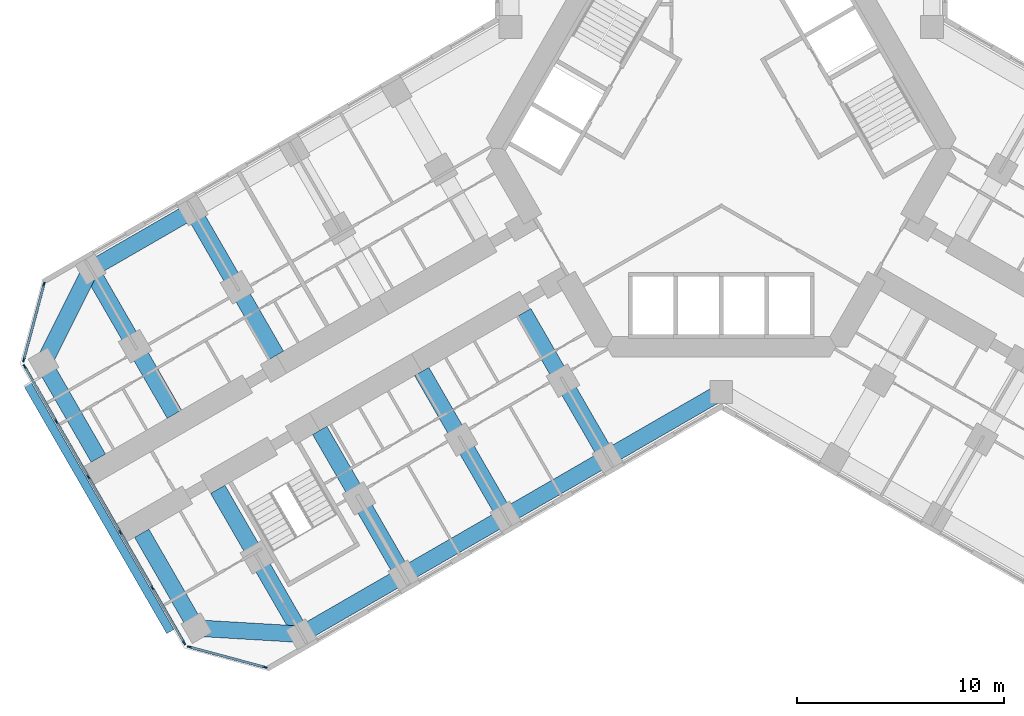
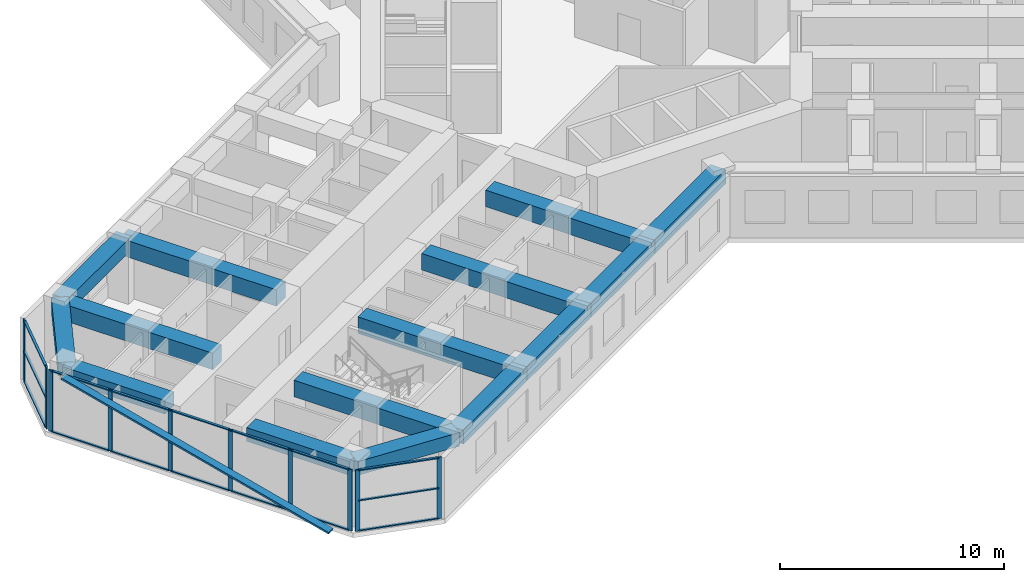
# One storey, part 2 of 18: 27 members, 15 beams, 3 elements without a shape of their own.
"""IFC4 building model written with IfcOpenShell, lengths in metres."""

from ifc_helpers import new_model, si_unit, direction, frame, origin, origin_2d, place, context, subcontext, project, spatial, rectangle, extrude, material, material_profile, profile_set, type_object, element, aggregate, save


model = new_model("IFC4")

# Units and contexts
model_context = context("Model", 3, precision=1e-05, world=origin(), true_north=direction((0.0, 1.0)))
body_context = subcontext(model_context, "Body", "Model", "MODEL_VIEW")
ifc_project = project(units=[si_unit("LENGTHUNIT", "METRE"), si_unit("AREAUNIT", "SQUARE_METRE"), si_unit("VOLUMEUNIT", "CUBIC_METRE"), si_unit("PLANEANGLEUNIT", "RADIAN"), si_unit("MASSUNIT", "GRAM", prefix="KILO")], contexts=[model_context])

# Site, building, storey
site_placement = place(None, origin())
site = spatial("IfcSite", under=ifc_project, at=site_placement, CompositionType="ELEMENT")
building_placement = place(site_placement, origin())
building = spatial("IfcBuilding", under=site, at=building_placement, Name="Kosmar Iwan School Tower", CompositionType="ELEMENT")
storey_placement = place(building_placement, frame((0.0, 0.0, 25.199951171875)))
storey = spatial("IfcBuildingStorey", under=building, at=storey_placement, Name="L05", CompositionType="ELEMENT", Elevation=25.199951171875)

# Member
ifc_material_1 = material(Name="Black anodised aluminium", Category="aluminium")
ifc_material_profile_1 = material_profile(ifc_material_1, rectangle(XDim=0.10009765625, YDim=0.39990234375, at=origin_2d()), Name="FIN 100x400")
ifc_profile_set_1 = profile_set([ifc_material_profile_1], Name="Black anodised aluminium")
member_type_1 = type_object("IfcMemberType", Name="Diagonal fin 100x400", PredefinedType="USERDEFINED", material=ifc_profile_set_1)
member_1_placement = place(storey_placement, frame((-26.671142578125, -23.364013671875, -0.14990234375), z_axis=(-0.483815594857, 0.837961898242, 0.252472428729), x_axis=(0.126239750018, -0.218645495686, 0.967604088836)))
element("IfcMember", 1, at=member_1_placement, inside=storey, type_object=member_type_1, Name="Diagonal fin L05-F13", ObjectType="FIN", PredefinedType="USERDEFINED", context=body_context, shape_type="SweptSolid", body=[
    extrude(rectangle(XDim=0.10009765625, YDim=0.39990234375, at=origin_2d()), origin(), (0.0, 0.0, 1.0), 14.25830078125),
])

# Curtain wall, members
ifc_material_2 = material(Name="Dark glass in black aluminium frame", Category="aluminium")
curtain_wall_type_1 = type_object("IfcCurtainWallType", Name="Chamfer curtain wall dark glass", PredefinedType="USERDEFINED", material=ifc_material_2)
curtain_wall_1_placement = place(storey_placement, origin())
curtain_wall_1 = element("IfcCurtainWall", 2, at=curtain_wall_1_placement, inside=storey, type_object=curtain_wall_type_1, Name="Curtain wall L05-F12", ObjectType="FACETED CURTAIN WALL", PredefinedType="USERDEFINED")
ifc_material_3 = material(Name="Black anodised aluminium", Category="aluminium")
ifc_material_profile_2 = material_profile(ifc_material_3, rectangle(XDim=0.06494140625, YDim=0.219970703125, at=origin_2d()), Name="MULLION 65x220")
ifc_profile_set_2 = profile_set([ifc_material_profile_2], Name="Black anodised aluminium")
member_type_2 = type_object("IfcMemberType", Name="Podium mullion 65x220", PredefinedType="MULLION", material=ifc_profile_set_2)
member_2_placement = place(storey_placement, frame((-32.78125, -6.57568359375, 0.0), z_axis=(0.0, 0.0, 1.0), x_axis=(0.965925875495, -0.258818861462, 0.0)))
member_2 = element("IfcMember", 3, at=member_2_placement, type_object=member_type_2, Name="CW2 mullion 1", PredefinedType="MULLION", context=body_context, shape_type="SweptSolid", body=[
    extrude(rectangle(XDim=0.06494140625, YDim=0.219970703125, at=origin_2d()), origin(), (0.0, 0.0, 1.0), 3.35009765625),
])
member_3_placement = place(storey_placement, frame((-33.758056640625, -10.22119140625, 0.0), z_axis=(0.0, 0.0, 1.0), x_axis=(0.965925875495, -0.258818861462, 0.0)))
member_3 = element("IfcMember", 4, at=member_3_placement, type_object=member_type_2, Name="CW2 mullion 2", PredefinedType="MULLION", context=body_context, shape_type="SweptSolid", body=[
    extrude(rectangle(XDim=0.06494140625, YDim=0.219970703125, at=origin_2d()), origin(), (0.0, 0.0, 1.0), 3.35009765625),
])

ifc_material_4 = material(Name="Dark glass in black aluminium frame", Category="aluminium")
curtain_wall_type_2 = type_object("IfcCurtainWallType", Name="Tower curtain wall dark glass", PredefinedType="USERDEFINED", material=ifc_material_4)
curtain_wall_2_placement = place(storey_placement, origin())
curtain_wall_2 = element("IfcCurtainWall", 5, at=curtain_wall_2_placement, inside=storey, type_object=curtain_wall_type_2, Name="Curtain wall L05-F13", ObjectType="UNITISED CURTAIN WALL", PredefinedType="USERDEFINED")
member_4_placement = place(storey_placement, frame((-33.714111328125, -10.555419921875, 0.0), z_axis=(0.0, 0.0, 1.0), x_axis=(0.866025405329, 0.499999997325, 0.0)))
member_4 = element("IfcMember", 6, at=member_4_placement, type_object=member_type_2, Name="CW1 mullion 1", PredefinedType="MULLION", context=body_context, shape_type="SweptSolid", body=[
    extrude(rectangle(XDim=0.06494140625, YDim=0.219970703125, at=origin_2d()), origin(), (0.0, 0.0, 1.0), 3.35009765625),
])
member_5_placement = place(storey_placement, frame((-32.1806640625, -13.21142578125, 0.0), z_axis=(0.0, 0.0, 1.0), x_axis=(0.866025405329, 0.499999997325, 0.0)))
member_5 = element("IfcMember", 7, at=member_5_placement, type_object=member_type_2, Name="CW1 mullion 2", PredefinedType="MULLION", context=body_context, shape_type="SweptSolid", body=[
    extrude(rectangle(XDim=0.06494140625, YDim=0.219970703125, at=origin_2d()), origin(), (0.0, 0.0, 1.0), 3.35009765625),
])
member_6_placement = place(storey_placement, frame((-30.631103515625, -15.8955078125, 0.0), z_axis=(0.0, 0.0, 1.0), x_axis=(0.866025405329, 0.499999997325, 0.0)))
member_6 = element("IfcMember", 8, at=member_6_placement, type_object=member_type_2, Name="CW1 mullion 3", PredefinedType="MULLION", context=body_context, shape_type="SweptSolid", body=[
    extrude(rectangle(XDim=0.06494140625, YDim=0.219970703125, at=origin_2d()), origin(), (0.0, 0.0, 1.0), 3.35009765625),
])
member_7_placement = place(storey_placement, frame((-29.081298828125, -18.57958984375, 0.0), z_axis=(0.0, 0.0, 1.0), x_axis=(0.866025405329, 0.499999997325, 0.0)))
member_7 = element("IfcMember", 9, at=member_7_placement, type_object=member_type_2, Name="CW1 mullion 4", PredefinedType="MULLION", context=body_context, shape_type="SweptSolid", body=[
    extrude(rectangle(XDim=0.06494140625, YDim=0.219970703125, at=origin_2d()), origin(), (0.0, 0.0, 1.0), 3.35009765625),
])
member_8_placement = place(storey_placement, frame((-27.53173828125, -21.263671875, 0.0), z_axis=(0.0, 0.0, 1.0), x_axis=(0.866025405329, 0.499999997325, 0.0)))
member_8 = element("IfcMember", 10, at=member_8_placement, type_object=member_type_2, Name="CW1 mullion 5", PredefinedType="MULLION", context=body_context, shape_type="SweptSolid", body=[
    extrude(rectangle(XDim=0.06494140625, YDim=0.219970703125, at=origin_2d()), origin(), (0.0, 0.0, 1.0), 3.35009765625),
])
member_9_placement = place(storey_placement, frame((-25.998291015625, -23.91943359375, 0.0), z_axis=(0.0, 0.0, 1.0), x_axis=(0.866025405329, 0.499999997325, 0.0)))
member_9 = element("IfcMember", 11, at=member_9_placement, type_object=member_type_2, Name="CW1 mullion 6", PredefinedType="MULLION", context=body_context, shape_type="SweptSolid", body=[
    extrude(rectangle(XDim=0.06494140625, YDim=0.219970703125, at=origin_2d()), origin(), (0.0, 0.0, 1.0), 3.35009765625),
])

curtain_wall_3_placement = place(storey_placement, origin())
curtain_wall_3 = element("IfcCurtainWall", 12, at=curtain_wall_3_placement, inside=storey, type_object=curtain_wall_type_1, Name="Curtain wall L05-F14", ObjectType="FACETED CURTAIN WALL", PredefinedType="USERDEFINED")
member_10_placement = place(storey_placement, frame((-25.730712890625, -24.124755859375, 0.0), z_axis=(0.0, 0.0, 1.0), x_axis=(0.258818861462, 0.965925875495, 0.0)))
member_10 = element("IfcMember", 13, at=member_10_placement, type_object=member_type_2, Name="CW2 mullion 1", PredefinedType="MULLION", context=body_context, shape_type="SweptSolid", body=[
    extrude(rectangle(XDim=0.06494140625, YDim=0.219970703125, at=origin_2d()), origin(), (0.0, 0.0, 1.0), 3.35009765625),
])
member_11_placement = place(storey_placement, frame((-22.08544921875, -25.1015625, 0.0), z_axis=(0.0, 0.0, 1.0), x_axis=(0.258818861462, 0.965925875495, 0.0)))
member_11 = element("IfcMember", 14, at=member_11_placement, type_object=member_type_2, Name="CW2 mullion 2", PredefinedType="MULLION", context=body_context, shape_type="SweptSolid", body=[
    extrude(rectangle(XDim=0.06494140625, YDim=0.219970703125, at=origin_2d()), origin(), (0.0, 0.0, 1.0), 3.35009765625),
])

# Beams
ifc_material_5 = material(Name="Concrete C50/60", Category="concrete")
ifc_material_profile_3 = material_profile(ifc_material_5, rectangle(XDim=0.800048828125, YDim=0.75, at=origin_2d()), Name="RC 800x750")
ifc_profile_set_3 = profile_set([ifc_material_profile_3], Name="Concrete C50/60")
beam_type_1 = type_object("IfcBeamType", Name="RC edge beam 800x750", PredefinedType="BEAM", material=ifc_profile_set_3)
beam_1_placement = place(storey_placement, frame((0.0, -11.77783203125, 2.97509765625), z_axis=(-0.866014293216, -0.500019243575, 0.0), x_axis=(0.500019243575, -0.866014293216, 0.0)))
element("IfcBeam", 15, at=beam_1_placement, inside=storey, type_object=beam_type_1, Name="Edge beam BL1", PredefinedType="BEAM", context=body_context, shape_type="SweptSolid", body=[
    extrude(rectangle(XDim=0.800048828125, YDim=0.75, at=origin_2d()), origin(), (0.0, 0.0, 1.0), 6.361083984375),
])
beam_2_placement = place(storey_placement, frame((-5.5087890625, -14.95849609375, 2.97509765625), z_axis=(-0.866033658841, -0.49998570155, 0.0), x_axis=(0.49998570155, -0.866033658841, 0.0)))
element("IfcBeam", 16, at=beam_2_placement, inside=storey, type_object=beam_type_1, Name="Edge beam BL2", PredefinedType="BEAM", context=body_context, shape_type="SweptSolid", body=[
    extrude(rectangle(XDim=0.800048828125, YDim=0.75, at=origin_2d()), origin(), (0.0, 0.0, 1.0), 5.699951171875),
])
beam_3_placement = place(storey_placement, frame((-10.445068359375, -17.808349609375, 2.97509765625), z_axis=(-0.866025820012, -0.499999279071, 0.0), x_axis=(0.499999279071, -0.866025820012, 0.0)))
element("IfcBeam", 17, at=beam_3_placement, inside=storey, type_object=beam_type_1, Name="Edge beam BL3", PredefinedType="BEAM", context=body_context, shape_type="SweptSolid", body=[
    extrude(rectangle(XDim=0.800048828125, YDim=0.75, at=origin_2d()), origin(), (0.0, 0.0, 1.0), 5.7001953125),
])
for number, where, z_axis, x_axis, name in (
    (18, (-15.381591796875, -20.658447265625, 2.97509765625), (-0.866015111908, -0.50001782563, 0.0), (0.50001782563, -0.866015111908, 0.0), "Edge beam BL4"),
    (19, (-25.58154296875, -2.991455078125, 2.97509765625), (-0.866015111908, -0.50001782563, 0.0), (0.50001782563, -0.866015111908, 0.0), "Edge beam BR4"),
):
    element("IfcBeam", number, at=place(storey_placement, frame(where, z_axis=z_axis, x_axis=x_axis)), inside=storey, type_object=beam_type_1, Name=name, PredefinedType="BEAM", context=body_context, shape_type="SweptSolid", body=[
        extrude(rectangle(XDim=0.800048828125, YDim=0.75, at=origin_2d()), origin(), (0.0, 0.0, 1.0), 5.699951171875),
    ])
ifc_material_6 = material(Name="Concrete C50/60", Category="concrete")
ifc_material_profile_4 = material_profile(ifc_material_6, rectangle(XDim=0.800048828125, YDim=0.75, at=origin_2d()), Name="RC 800x750")
ifc_profile_set_4 = profile_set([ifc_material_profile_4], Name="Concrete C50/60")
beam_type_2 = type_object("IfcBeamType", Name="RC tip beam 800x750", PredefinedType="BEAM", material=ifc_profile_set_4)
beam_4_placement = place(storey_placement, frame((-20.31787109375, -23.508544921875, 2.97509765625), z_axis=(-0.998260616478, 0.058955420358, 0.0), x_axis=(-0.058955420358, -0.998260616478, 0.0)))
element("IfcBeam", 20, at=beam_4_placement, inside=storey, type_object=beam_type_2, Name="Tip beam BL", PredefinedType="BEAM", context=body_context, shape_type="SweptSolid", body=[
    extrude(rectangle(XDim=0.800048828125, YDim=0.75, at=origin_2d()), origin(), (0.0, 0.0, 1.0), 5.08935546875),
])
beam_5_placement = place(storey_placement, frame((-25.3984375, -23.20849609375, 2.97509765625), z_axis=(-0.499993606316, 0.866029095148, 0.0), x_axis=(-0.866029095148, -0.499993606316, 0.0)))
element("IfcBeam", 21, at=beam_5_placement, inside=storey, type_object=beam_type_2, Name="Tip beam BL to corridor wall", PredefinedType="BEAM", context=body_context, shape_type="SweptSolid", body=[
    extrude(rectangle(XDim=0.800048828125, YDim=0.75, at=origin_2d()), origin(), (0.0, 0.0, 1.0), 5.2998046875),
])
beam_6_placement = place(storey_placement, frame((-30.517822265625, -5.841552734375, 2.97509765625), z_axis=(-0.44809604203, -0.893985423325, 0.0), x_axis=(0.893985423325, -0.44809604203, 0.0)))
element("IfcBeam", 22, at=beam_6_placement, inside=storey, type_object=beam_type_2, Name="Tip beam BR", PredefinedType="BEAM", context=body_context, shape_type="SweptSolid", body=[
    extrude(rectangle(XDim=0.800048828125, YDim=0.75, at=origin_2d()), origin(), (0.0, 0.0, 1.0), 5.08935546875),
])
beam_7_placement = place(storey_placement, frame((-32.79833984375, -10.391357421875, 2.97509765625), z_axis=(0.499973660256, -0.866040610509, 0.0), x_axis=(0.866040610509, 0.499973660256, 0.0)))
element("IfcBeam", 23, at=beam_7_placement, inside=storey, type_object=beam_type_2, Name="Tip beam BR to corridor wall", PredefinedType="BEAM", context=body_context, shape_type="SweptSolid", body=[
    extrude(rectangle(XDim=0.800048828125, YDim=0.75, at=origin_2d()), origin(), (0.0, 0.0, 1.0), 5.300048828125),
])
ifc_material_7 = material(Name="Concrete C50/60", Category="concrete")
ifc_material_profile_5 = material_profile(ifc_material_7, rectangle(XDim=0.800048828125, YDim=0.89990234375, at=origin_2d()), Name="RC 800x900")
ifc_profile_set_5 = profile_set([ifc_material_profile_5], Name="Concrete C50/60")
beam_type_3 = type_object("IfcBeamType", Name="RC transverse beam 800x900", PredefinedType="BEAM", material=ifc_profile_set_5)
beam_8_placement = place(storey_placement, frame((-5.5087890625, -14.95849609375, 2.900146484375), z_axis=(-0.499999880539, 0.866025472755, 0.0), x_axis=(-0.866025472755, -0.499999880539, 0.0)))
element("IfcBeam", 24, at=beam_8_placement, inside=storey, type_object=beam_type_3, Name="Transverse beam BL1", PredefinedType="BEAM", context=body_context, shape_type="SweptSolid", body=[
    extrude(rectangle(XDim=0.800048828125, YDim=0.89990234375, at=origin_2d()), origin(), (0.0, 0.0, 1.0), 8.10009765625),
])
beam_9_placement = place(storey_placement, frame((-10.445068359375, -17.808349609375, 2.900146484375), z_axis=(-0.500012932018, 0.866017937352, 0.0), x_axis=(-0.866017937352, -0.500012932018, 0.0)))
element("IfcBeam", 25, at=beam_9_placement, inside=storey, type_object=beam_type_3, Name="Transverse beam BL2", PredefinedType="BEAM", context=body_context, shape_type="SweptSolid", body=[
    extrude(rectangle(XDim=0.800048828125, YDim=0.89990234375, at=origin_2d()), origin(), (0.0, 0.0, 1.0), 8.099853515625),
])
for number, where, z_axis, x_axis, name in (
    (26, (-15.381591796875, -20.658447265625, 2.900146484375), (-0.499977274689, 0.866038523851, 0.0), (-0.866038523851, -0.499977274689, 0.0), "Transverse beam BL3"),
    (27, (-20.31787109375, -23.508544921875, 2.900146484375), (-0.499999880539, 0.866025472755, 0.0), (-0.866025472755, -0.499999880539, 0.0), "Transverse beam BL4"),
    (28, (-25.58154296875, -2.991455078125, 2.900146484375), (0.499999880539, -0.866025472755, 0.0), (0.866025472755, 0.499999880539, 0.0), "Transverse beam BR3"),
    (29, (-30.517822265625, -5.841552734375, 2.900146484375), (0.499999880539, -0.866025472755, 0.0), (0.866025472755, 0.499999880539, 0.0), "Transverse beam BR4"),
):
    element("IfcBeam", number, at=place(storey_placement, frame(where, z_axis=z_axis, x_axis=x_axis)), inside=storey, type_object=beam_type_3, Name=name, PredefinedType="BEAM", context=body_context, shape_type="SweptSolid", body=[
        extrude(rectangle(XDim=0.800048828125, YDim=0.89990234375, at=origin_2d()), origin(), (0.0, 0.0, 1.0), 8.10009765625),
    ])

# Member
ifc_material_8 = material(Name="Black anodised aluminium", Category="aluminium")
ifc_material_profile_6 = material_profile(ifc_material_8, rectangle(XDim=0.1201171875, YDim=0.06005859375, at=origin_2d()), Name="TRANSOM 60x120")
ifc_profile_set_6 = profile_set([ifc_material_profile_6], Name="Black anodised aluminium")
member_type_3 = type_object("IfcMemberType", Name="Transom 60x120", PredefinedType="USERDEFINED", material=ifc_profile_set_6)
member_12_placement = place(storey_placement, frame((-32.789794921875, -6.607177734375, 0.030029296875), z_axis=(-0.258826018906, -0.965923957637, 0.0), x_axis=(0.965923957637, -0.258826018906, 0.0)))
member_12 = element("IfcMember", 30, at=member_12_placement, type_object=member_type_3, Name="CW2 transom 1.1", ObjectType="TRANSOM", PredefinedType="USERDEFINED", context=body_context, shape_type="SweptSolid", body=[
    extrude(rectangle(XDim=0.1201171875, YDim=0.06005859375, at=origin_2d()), origin(), (0.0, 0.0, 1.0), 3.708984375),
])

member_13_placement = place(storey_placement, frame((-32.789794921875, -6.607177734375, 1.675048828125), z_axis=(-0.258826018906, -0.965923957637, 0.0), x_axis=(0.965923957637, -0.258826018906, 0.0)))
member_13 = element("IfcMember", 31, at=member_13_placement, type_object=member_type_3, Name="CW2 transom 1.2", ObjectType="TRANSOM", PredefinedType="USERDEFINED", context=body_context, shape_type="SweptSolid", body=[
    extrude(rectangle(XDim=0.1201171875, YDim=0.06005859375, at=origin_2d()), origin(), (0.0, 0.0, 1.0), 3.708984375),
])

member_14_placement = place(storey_placement, frame((-32.789794921875, -6.607177734375, 3.320068359375), z_axis=(-0.258826018906, -0.965923957637, 0.0), x_axis=(0.965923957637, -0.258826018906, 0.0)))
member_14 = element("IfcMember", 32, at=member_14_placement, type_object=member_type_3, Name="CW2 transom 1.3", ObjectType="TRANSOM", PredefinedType="USERDEFINED", context=body_context, shape_type="SweptSolid", body=[
    extrude(rectangle(XDim=0.1201171875, YDim=0.06005859375, at=origin_2d()), origin(), (0.0, 0.0, 1.0), 3.708984375),
])

aggregate(curtain_wall_1, [member_2, member_3, member_12, member_13, member_14])

member_15_placement = place(storey_placement, frame((-33.69775390625, -10.583740234375, 0.030029296875), z_axis=(0.499961833423, -0.866047438147, 0.0), x_axis=(0.866047438147, 0.499961833423, 0.0)))
member_15 = element("IfcMember", 33, at=member_15_placement, type_object=member_type_3, Name="CW1 transom 1.1", ObjectType="TRANSOM", PredefinedType="USERDEFINED", context=body_context, shape_type="SweptSolid", body=[
    extrude(rectangle(XDim=0.1201171875, YDim=0.06005859375, at=origin_2d()), origin(), (0.0, 0.0, 1.0), 3.001708984375),
])

member_16_placement = place(storey_placement, frame((-33.69775390625, -10.583740234375, 3.320068359375), z_axis=(0.499961833423, -0.866047438147, 0.0), x_axis=(0.866047438147, 0.499961833423, 0.0)))
member_16 = element("IfcMember", 34, at=member_16_placement, type_object=member_type_3, Name="CW1 transom 1.2", ObjectType="TRANSOM", PredefinedType="USERDEFINED", context=body_context, shape_type="SweptSolid", body=[
    extrude(rectangle(XDim=0.1201171875, YDim=0.06005859375, at=origin_2d()), origin(), (0.0, 0.0, 1.0), 3.001708984375),
])

member_17_placement = place(storey_placement, frame((-32.16455078125, -13.239501953125, 0.030029296875), z_axis=(0.500024238858, -0.866011409021, 0.0), x_axis=(0.866011409021, 0.500024238858, 0.0)))
member_17 = element("IfcMember", 35, at=member_17_placement, type_object=member_type_3, Name="CW1 transom 2.1", ObjectType="TRANSOM", PredefinedType="USERDEFINED", context=body_context, shape_type="SweptSolid", body=[
    extrude(rectangle(XDim=0.1201171875, YDim=0.06005859375, at=origin_2d()), origin(), (0.0, 0.0, 1.0), 3.034423828125),
])

member_18_placement = place(storey_placement, frame((-32.16455078125, -13.239501953125, 3.320068359375), z_axis=(0.500024238858, -0.866011409021, 0.0), x_axis=(0.866011409021, 0.500024238858, 0.0)))
member_18 = element("IfcMember", 36, at=member_18_placement, type_object=member_type_3, Name="CW1 transom 2.2", ObjectType="TRANSOM", PredefinedType="USERDEFINED", context=body_context, shape_type="SweptSolid", body=[
    extrude(rectangle(XDim=0.1201171875, YDim=0.06005859375, at=origin_2d()), origin(), (0.0, 0.0, 1.0), 3.034423828125),
])

member_19_placement = place(storey_placement, frame((-30.61474609375, -15.923583984375, 0.030029296875), z_axis=(0.499998735884, -0.866026133621, 0.0), x_axis=(0.866026133621, 0.499998735884, 0.0)))
member_19 = element("IfcMember", 37, at=member_19_placement, type_object=member_type_3, Name="CW1 transom 3.1", ObjectType="TRANSOM", PredefinedType="USERDEFINED", context=body_context, shape_type="SweptSolid", body=[
    extrude(rectangle(XDim=0.1201171875, YDim=0.06005859375, at=origin_2d()), origin(), (0.0, 0.0, 1.0), 3.0341796875),
])

member_20_placement = place(storey_placement, frame((-30.61474609375, -15.923583984375, 3.320068359375), z_axis=(0.499998735884, -0.866026133621, 0.0), x_axis=(0.866026133621, 0.499998735884, 0.0)))
member_20 = element("IfcMember", 38, at=member_20_placement, type_object=member_type_3, Name="CW1 transom 3.2", ObjectType="TRANSOM", PredefinedType="USERDEFINED", context=body_context, shape_type="SweptSolid", body=[
    extrude(rectangle(XDim=0.1201171875, YDim=0.06005859375, at=origin_2d()), origin(), (0.0, 0.0, 1.0), 3.0341796875),
])

member_21_placement = place(storey_placement, frame((-29.065185546875, -18.607666015625, 0.030029296875), z_axis=(0.499998735884, -0.866026133621, 0.0), x_axis=(0.866026133621, 0.499998735884, 0.0)))
member_21 = element("IfcMember", 39, at=member_21_placement, type_object=member_type_3, Name="CW1 transom 4.1", ObjectType="TRANSOM", PredefinedType="USERDEFINED", context=body_context, shape_type="SweptSolid", body=[
    extrude(rectangle(XDim=0.1201171875, YDim=0.06005859375, at=origin_2d()), origin(), (0.0, 0.0, 1.0), 3.0341796875),
])

member_22_placement = place(storey_placement, frame((-29.065185546875, -18.607666015625, 3.320068359375), z_axis=(0.499998735884, -0.866026133621, 0.0), x_axis=(0.866026133621, 0.499998735884, 0.0)))
member_22 = element("IfcMember", 40, at=member_22_placement, type_object=member_type_3, Name="CW1 transom 4.2", ObjectType="TRANSOM", PredefinedType="USERDEFINED", context=body_context, shape_type="SweptSolid", body=[
    extrude(rectangle(XDim=0.1201171875, YDim=0.06005859375, at=origin_2d()), origin(), (0.0, 0.0, 1.0), 3.0341796875),
])

member_23_placement = place(storey_placement, frame((-27.515625, -21.291748046875, 0.030029296875), z_axis=(0.500022833518, -0.866012220445, 0.0), x_axis=(0.866012220445, 0.500022833518, 0.0)))
member_23 = element("IfcMember", 41, at=member_23_placement, type_object=member_type_3, Name="CW1 transom 5.1", ObjectType="TRANSOM", PredefinedType="USERDEFINED", context=body_context, shape_type="SweptSolid", body=[
    extrude(rectangle(XDim=0.1201171875, YDim=0.06005859375, at=origin_2d()), origin(), (0.0, 0.0, 1.0), 3.001708984375),
])

member_24_placement = place(storey_placement, frame((-27.515625, -21.291748046875, 3.320068359375), z_axis=(0.500022833518, -0.866012220445, 0.0), x_axis=(0.866012220445, 0.500022833518, 0.0)))
member_24 = element("IfcMember", 42, at=member_24_placement, type_object=member_type_3, Name="CW1 transom 5.2", ObjectType="TRANSOM", PredefinedType="USERDEFINED", context=body_context, shape_type="SweptSolid", body=[
    extrude(rectangle(XDim=0.1201171875, YDim=0.06005859375, at=origin_2d()), origin(), (0.0, 0.0, 1.0), 3.001708984375),
])

aggregate(curtain_wall_2, [member_4, member_5, member_6, member_7, member_8, member_9, member_15, member_16, member_17, member_18, member_19, member_20, member_21, member_22, member_23, member_24])

member_25_placement = place(storey_placement, frame((-25.699462890625, -24.13330078125, 0.030029296875), z_axis=(0.965928366929, -0.258809563119, 0.0), x_axis=(0.258809563119, 0.965928366929, 0.0)))
member_25 = element("IfcMember", 43, at=member_25_placement, type_object=member_type_3, Name="CW2 transom 1.1", ObjectType="TRANSOM", PredefinedType="USERDEFINED", context=body_context, shape_type="SweptSolid", body=[
    extrude(rectangle(XDim=0.1201171875, YDim=0.06005859375, at=origin_2d()), origin(), (0.0, 0.0, 1.0), 3.709228515625),
])

member_26_placement = place(storey_placement, frame((-25.699462890625, -24.13330078125, 1.675048828125), z_axis=(0.965928366929, -0.258809563119, 0.0), x_axis=(0.258809563119, 0.965928366929, 0.0)))
member_26 = element("IfcMember", 44, at=member_26_placement, type_object=member_type_3, Name="CW2 transom 1.2", ObjectType="TRANSOM", PredefinedType="USERDEFINED", context=body_context, shape_type="SweptSolid", body=[
    extrude(rectangle(XDim=0.1201171875, YDim=0.06005859375, at=origin_2d()), origin(), (0.0, 0.0, 1.0), 3.709228515625),
])

member_27_placement = place(storey_placement, frame((-25.699462890625, -24.13330078125, 3.320068359375), z_axis=(0.965928366929, -0.258809563119, 0.0), x_axis=(0.258809563119, 0.965928366929, 0.0)))
member_27 = element("IfcMember", 45, at=member_27_placement, type_object=member_type_3, Name="CW2 transom 1.3", ObjectType="TRANSOM", PredefinedType="USERDEFINED", context=body_context, shape_type="SweptSolid", body=[
    extrude(rectangle(XDim=0.1201171875, YDim=0.06005859375, at=origin_2d()), origin(), (0.0, 0.0, 1.0), 3.709228515625),
])

aggregate(curtain_wall_3, [member_10, member_11, member_25, member_26, member_27])

save(model, "model.ifc")
